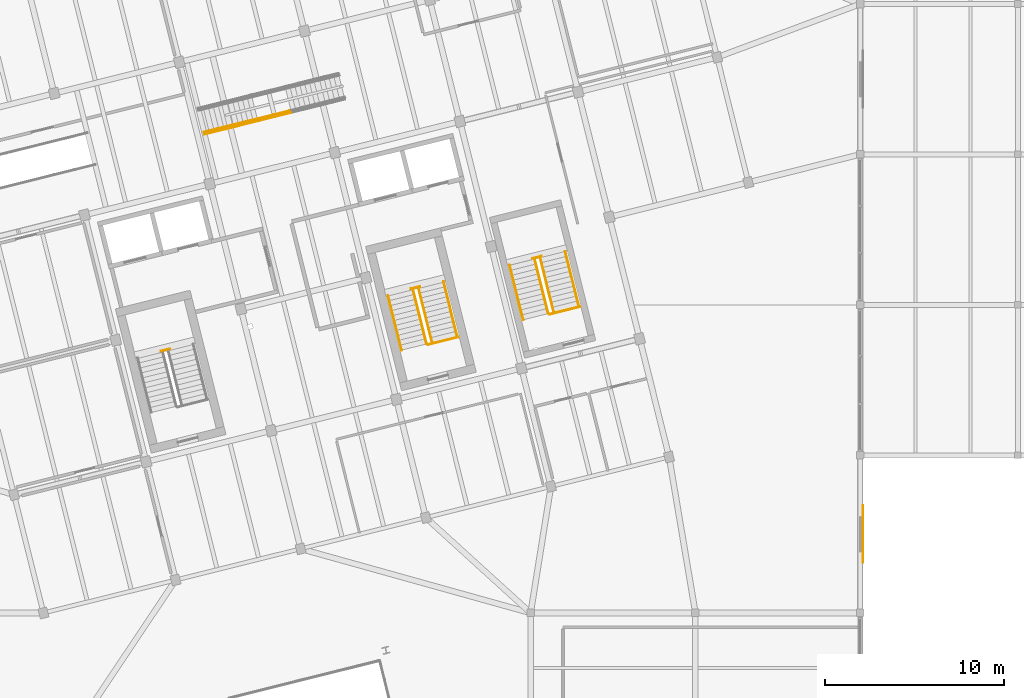
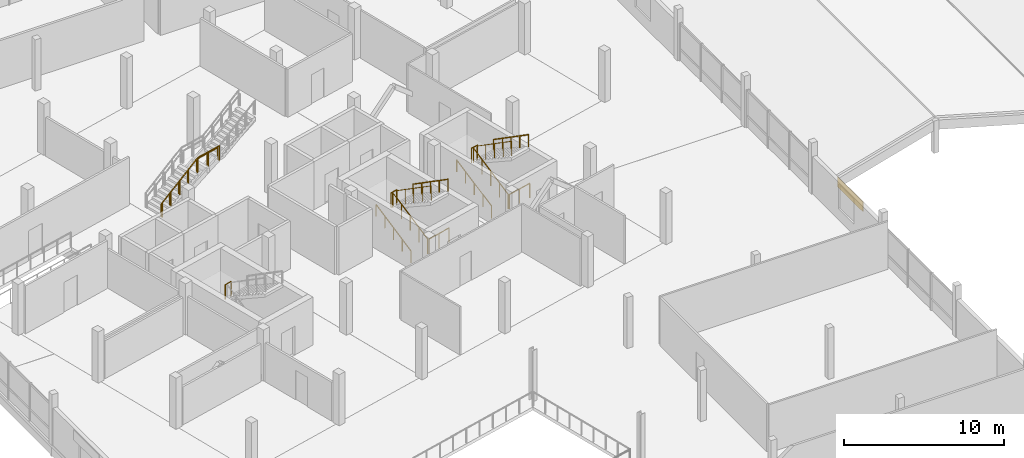
# One storey, part 46 of 47: 17 railings, 1 covering.
"""IFC4 building model written with IfcOpenShell, lengths in metres."""

from ifc_helpers import new_model, si_unit, direction, frame, origin, origin_2d, place, context, subcontext, project, spatial, rectangle, circle, extrude, material, layer, layer_set, type_object, element, save


model = new_model("IFC4")

# Units and contexts
model_context = context("Model", 3, precision=1e-05, world=origin(), true_north=direction((0.0, 1.0)))
body_context = subcontext(model_context, "Body", "Model", "MODEL_VIEW")
ifc_project = project(units=[si_unit("LENGTHUNIT", "METRE"), si_unit("AREAUNIT", "SQUARE_METRE"), si_unit("VOLUMEUNIT", "CUBIC_METRE"), si_unit("PLANEANGLEUNIT", "RADIAN"), si_unit("MASSUNIT", "GRAM", prefix="KILO")], contexts=[model_context])

# Site, building, storey
site_placement = place(None, origin())
site = spatial("IfcSite", under=ifc_project, at=site_placement, CompositionType="ELEMENT")
building_placement = place(site_placement, origin())
building = spatial("IfcBuilding", under=site, at=building_placement, Name="Meriwether Solvik Hall", CompositionType="ELEMENT")
storey_placement = place(building_placement, frame((0.0, 0.0, 18.300048828125)))
storey = spatial("IfcBuildingStorey", under=building, at=storey_placement, Name="L04", CompositionType="ELEMENT", Elevation=18.300048828125)

# Covering
ifc_material_1 = material(Name="Acetylated Charred Western Red Cedar Timber", Category="wood")
ifc_layer_1 = layer(ifc_material_1, 0.0400390625)
ifc_layer_set_1 = layer_set([ifc_layer_1], Name="Acetylated Charred Western Red Cedar Timber")
covering_type = type_object("IfcCoveringType", Name="COV-CLAD-TIMB", PredefinedType="CLADDING", material=ifc_layer_set_1)
covering_placement = place(storey_placement, frame((114.360107421875, 45.60009765625, 2.054931640625), z_axis=(0.0, 0.0, 1.0), x_axis=(0.0, -1.0, 0.0)))
element("IfcCovering", 1, at=covering_placement, inside=storey, type_object=covering_type, Name="L04 Facade Cladding Y13_5_26", PredefinedType="CLADDING", context=body_context, shape_type="SweptSolid", body=[
    extrude(rectangle(XDim=3.199951171875, YDim=0.0400390625, at=origin_2d()), origin(), (0.0, 0.0, 1.0), 0.75),
])

# Railings
ifc_material_2 = material(Name="Steel A36 Galvanised", Category="steel")
ifc_layer_2 = layer(ifc_material_2, 0.054931640625)
ifc_layer_set_2 = layer_set([ifc_layer_2], Name="Steel A36 Galvanised")
railing_type_1 = type_object("IfcRailingType", Name="RAIL-STR-GUARD", PredefinedType="GUARDRAIL", material=ifc_layer_set_2)
railing_1_placement = place(storey_placement, frame((75.158935546875, 55.81591796875, 1.949951171875)))
element("IfcRailing", 2, at=railing_1_placement, inside=storey, type_object=railing_type_1, Name="Stair ST-01 Landing Guardrail (L04)", PredefinedType="GUARDRAIL", context=body_context, shape_type="SweptSolid", body=[
    extrude(circle(Radius=0.02392578125, at=origin_2d()), frame((0.0, 0.0, 1.09619140625), z_axis=(0.970343250308, 0.241731207299, 0.0), x_axis=(-0.241731207299, 0.970343250308, 0.0)), (0.0, 0.0, 1.0), 0.5),
    extrude(circle(Radius=0.02099609375, at=origin_2d()), origin(), (0.0, 0.0, 1.0), 1.072021484375),
    extrude(circle(Radius=0.02099609375, at=origin_2d()), frame((0.485107421875, 0.120849609375, 0.0)), (0.0, 0.0, 1.0), 1.072021484375),
])
railing_2_placement = place(storey_placement, frame((89.131103515625, 59.299560546875, 1.949951171875)))
element("IfcRailing", 3, at=railing_2_placement, inside=storey, type_object=railing_type_1, Name="Stair ST-02 Landing Guardrail (L04)", PredefinedType="GUARDRAIL", context=body_context, shape_type="SweptSolid", body=[
    extrude(circle(Radius=0.02392578125, at=origin_2d()), frame((0.0, 0.0, 1.09619140625), z_axis=(0.970228607419, 0.242190935722, 0.0), x_axis=(-0.242190935722, 0.970228607419, 0.0)), (0.0, 0.0, 1.0), 0.5),
    extrude(circle(Radius=0.02099609375, at=origin_2d()), origin(), (0.0, 0.0, 1.0), 1.072021484375),
    extrude(circle(Radius=0.02099609375, at=origin_2d()), frame((0.485107421875, 0.12109375, 0.0)), (0.0, 0.0, 1.0), 1.072021484375),
])
railing_3_placement = place(storey_placement, frame((90.064208984375, 56.177490234375, 0.0)))
element("IfcRailing", 4, at=railing_3_placement, inside=storey, type_object=railing_type_1, Name="Stair ST-02 Well Guardrail (L04)", PredefinedType="GUARDRAIL", context=body_context, shape_type="SweptSolid", body=[
    extrude(circle(Radius=0.02392578125, at=origin_2d()), frame((0.0, 0.0, 1.09619140625), z_axis=(0.970298223594, 0.241911879182, 0.0), x_axis=(-0.241911879182, 0.970298223594, 0.0)), (0.0, 0.0, 1.0), 1.75),
    extrude(circle(Radius=0.02099609375, at=origin_2d()), origin(), (0.0, 0.0, 1.0), 1.072021484375),
    extrude(circle(Radius=0.02099609375, at=origin_2d()), frame((0.84912109375, 0.211669921875, 0.0)), (0.0, 0.0, 1.0), 1.072021484375),
    extrude(circle(Radius=0.02099609375, at=origin_2d()), frame((1.697998046875, 0.42333984375, 0.0)), (0.0, 0.0, 1.0), 1.072021484375),
])
railing_4_placement = place(storey_placement, frame((89.991455078125, 56.22119140625, 0.0)))
element("IfcRailing", 5, at=railing_4_placement, inside=storey, type_object=railing_type_1, Name="Stair ST-02 Flight 1 Inner Guardrail (L04)", PredefinedType="GUARDRAIL", context=body_context, shape_type="SweptSolid", body=[
    extrude(circle(Radius=0.02392578125, at=origin_2d()), frame((0.0, 0.0, 1.09619140625), z_axis=(-0.205452207734, 0.823924849814, 0.528145086313), x_axis=(-0.970288906122, -0.2419492481, 0.0)), (0.0, 0.0, 1.0), 3.692138671875),
    extrude(circle(Radius=0.02099609375, at=origin_2d()), origin(), (0.0, 0.0, 1.0), 1.072021484375),
    extrude(circle(Radius=0.02099609375, at=origin_2d()), frame((-0.189697265625, 0.760498046875, 0.487548828125)), (0.0, 0.0, 1.0), 1.072021484375),
    extrude(circle(Radius=0.02099609375, at=origin_2d()), frame((-0.37939453125, 1.52099609375, 0.97509765625)), (0.0, 0.0, 1.0), 1.072021484375),
    extrude(circle(Radius=0.02099609375, at=origin_2d()), frame((-0.56884765625, 2.281494140625, 1.46240234375)), (0.0, 0.0, 1.0), 1.072021484375),
    extrude(circle(Radius=0.02099609375, at=origin_2d()), frame((-0.758544921875, 3.0419921875, 1.949951171875)), (0.0, 0.0, 1.0), 1.072021484375),
])
railing_5_placement = place(storey_placement, frame((89.54345703125, 59.340576171875, 1.949951171875)))
element("IfcRailing", 6, at=railing_5_placement, inside=storey, type_object=railing_type_1, Name="Stair ST-02 Flight 2 Inner Guardrail (L04)", PredefinedType="GUARDRAIL", context=body_context, shape_type="SweptSolid", body=[
    extrude(circle(Radius=0.02392578125, at=origin_2d()), frame((0.0, 0.0, 1.09619140625), z_axis=(0.205452207734, -0.823924849814, 0.528145086313), x_axis=(0.970288906122, 0.2419492481, 0.0)), (0.0, 0.0, 1.0), 3.692138671875),
    extrude(circle(Radius=0.02099609375, at=origin_2d()), origin(), (0.0, 0.0, 1.0), 1.072021484375),
    extrude(circle(Radius=0.02099609375, at=origin_2d()), frame((0.189697265625, -0.760498046875, 0.487548828125)), (0.0, 0.0, 1.0), 1.072021484375),
    extrude(circle(Radius=0.02099609375, at=origin_2d()), frame((0.37939453125, -1.52099609375, 0.97509765625)), (0.0, 0.0, 1.0), 1.072021484375),
    extrude(circle(Radius=0.02099609375, at=origin_2d()), frame((0.56884765625, -2.281494140625, 1.46240234375)), (0.0, 0.0, 1.0), 1.072021484375),
    extrude(circle(Radius=0.02099609375, at=origin_2d()), frame((0.758544921875, -3.0419921875, 1.949951171875)), (0.0, 0.0, 1.0), 1.072021484375),
])
railing_6_placement = place(storey_placement, frame((95.92333984375, 60.992919921875, 1.949951171875)))
element("IfcRailing", 7, at=railing_6_placement, inside=storey, type_object=railing_type_1, Name="Stair ST-03 Landing Guardrail (L04)", PredefinedType="GUARDRAIL", context=body_context, shape_type="SweptSolid", body=[
    extrude(circle(Radius=0.02392578125, at=origin_2d()), frame((0.0, 0.0, 1.09619140625), z_axis=(0.970228607419, 0.242190935722, 0.0), x_axis=(-0.242190935722, 0.970228607419, 0.0)), (0.0, 0.0, 1.0), 0.5),
    extrude(circle(Radius=0.02099609375, at=origin_2d()), origin(), (0.0, 0.0, 1.0), 1.072021484375),
    extrude(circle(Radius=0.02099609375, at=origin_2d()), frame((0.485107421875, 0.12109375, 0.0)), (0.0, 0.0, 1.0), 1.072021484375),
])
railing_7_placement = place(storey_placement, frame((96.856201171875, 57.87109375, 0.0)))
element("IfcRailing", 8, at=railing_7_placement, inside=storey, type_object=railing_type_1, Name="Stair ST-03 Well Guardrail (L04)", PredefinedType="GUARDRAIL", context=body_context, shape_type="SweptSolid", body=[
    extrude(circle(Radius=0.02392578125, at=origin_2d()), frame((0.0, 0.0, 1.09619140625), z_axis=(0.970298223594, 0.241911879182, 0.0), x_axis=(-0.241911879182, 0.970298223594, 0.0)), (0.0, 0.0, 1.0), 1.75),
    extrude(circle(Radius=0.02099609375, at=origin_2d()), origin(), (0.0, 0.0, 1.0), 1.072021484375),
    extrude(circle(Radius=0.02099609375, at=origin_2d()), frame((0.84912109375, 0.211669921875, 0.0)), (0.0, 0.0, 1.0), 1.072021484375),
    extrude(circle(Radius=0.02099609375, at=origin_2d()), frame((1.697998046875, 0.42333984375, 0.0)), (0.0, 0.0, 1.0), 1.072021484375),
])
railing_8_placement = place(storey_placement, frame((96.783447265625, 57.914794921875, 0.0)))
element("IfcRailing", 9, at=railing_8_placement, inside=storey, type_object=railing_type_1, Name="Stair ST-03 Flight 1 Inner Guardrail (L04)", PredefinedType="GUARDRAIL", context=body_context, shape_type="SweptSolid", body=[
    extrude(circle(Radius=0.02392578125, at=origin_2d()), frame((0.0, 0.0, 1.09619140625), z_axis=(-0.205400062928, 0.823914804899, 0.528181037541), x_axis=(-0.97030262861, -0.241894210166, 0.0)), (0.0, 0.0, 1.0), 3.69189453125),
    extrude(circle(Radius=0.02099609375, at=origin_2d()), origin(), (0.0, 0.0, 1.0), 1.072021484375),
    extrude(circle(Radius=0.02099609375, at=origin_2d()), frame((-0.189453125, 0.760498046875, 0.487548828125)), (0.0, 0.0, 1.0), 1.072021484375),
    extrude(circle(Radius=0.02099609375, at=origin_2d()), frame((-0.379150390625, 1.52099609375, 0.97509765625)), (0.0, 0.0, 1.0), 1.072021484375),
    extrude(circle(Radius=0.02099609375, at=origin_2d()), frame((-0.56884765625, 2.28125, 1.46240234375)), (0.0, 0.0, 1.0), 1.072021484375),
    extrude(circle(Radius=0.02099609375, at=origin_2d()), frame((-0.75830078125, 3.041748046875, 1.949951171875)), (0.0, 0.0, 1.0), 1.072021484375),
])
railing_9_placement = place(storey_placement, frame((96.335693359375, 61.033935546875, 1.949951171875)))
element("IfcRailing", 10, at=railing_9_placement, inside=storey, type_object=railing_type_1, Name="Stair ST-03 Flight 2 Inner Guardrail (L04)", PredefinedType="GUARDRAIL", context=body_context, shape_type="SweptSolid", body=[
    extrude(circle(Radius=0.02392578125, at=origin_2d()), frame((0.0, 0.0, 1.09619140625), z_axis=(0.205400062928, -0.823914804899, 0.528181037541), x_axis=(0.97030262861, 0.241894210166, 0.0)), (0.0, 0.0, 1.0), 3.69189453125),
    extrude(circle(Radius=0.02099609375, at=origin_2d()), origin(), (0.0, 0.0, 1.0), 1.072021484375),
    extrude(circle(Radius=0.02099609375, at=origin_2d()), frame((0.189453125, -0.760498046875, 0.487548828125)), (0.0, 0.0, 1.0), 1.072021484375),
    extrude(circle(Radius=0.02099609375, at=origin_2d()), frame((0.379150390625, -1.52099609375, 0.97509765625)), (0.0, 0.0, 1.0), 1.072021484375),
    extrude(circle(Radius=0.02099609375, at=origin_2d()), frame((0.56884765625, -2.28125, 1.46240234375)), (0.0, 0.0, 1.0), 1.072021484375),
    extrude(circle(Radius=0.02099609375, at=origin_2d()), frame((0.75830078125, -3.041748046875, 1.949951171875)), (0.0, 0.0, 1.0), 1.072021484375),
])
railing_10_placement = place(storey_placement, frame((77.6015625, 67.926513671875, 0.0)))
element("IfcRailing", 11, at=railing_10_placement, inside=storey, type_object=railing_type_1, Name="Stair ST-ED2 Guardrail L 1", PredefinedType="GUARDRAIL", context=body_context, shape_type="SweptSolid", body=[
    extrude(circle(Radius=0.02392578125, at=origin_2d()), frame((0.0, 0.0, 1.09619140625), z_axis=(0.819808299707, 0.204444516544, 0.534898860895), x_axis=(-0.24197019989, 0.970283681387, 0.0)), (0.0, 0.0, 1.0), 3.607666015625),
    extrude(circle(Radius=0.02099609375, at=origin_2d()), origin(), (0.0, 0.0, 1.0), 1.072021484375),
    extrude(circle(Radius=0.02099609375, at=origin_2d()), frame((0.7392578125, 0.184326171875, 0.482421875)), (0.0, 0.0, 1.0), 1.072021484375),
    extrude(circle(Radius=0.02099609375, at=origin_2d()), frame((1.478759765625, 0.36865234375, 0.96484375)), (0.0, 0.0, 1.0), 1.072021484375),
    extrude(circle(Radius=0.02099609375, at=origin_2d()), frame((2.21826171875, 0.55322265625, 1.447265625)), (0.0, 0.0, 1.0), 1.072021484375),
    extrude(circle(Radius=0.02099609375, at=origin_2d()), frame((2.95751953125, 0.737548828125, 1.9296875)), (0.0, 0.0, 1.0), 1.072021484375),
])
railing_11_placement = place(storey_placement, frame((80.62109375, 68.679443359375, 1.949951171875)))
element("IfcRailing", 12, at=railing_11_placement, inside=storey, type_object=railing_type_1, Name="Stair ST-ED2 Guardrail L 2", PredefinedType="GUARDRAIL", context=body_context, shape_type="SweptSolid", body=[
    extrude(circle(Radius=0.02392578125, at=origin_2d()), frame((0.0, 0.0, 1.09619140625), z_axis=(0.970306538846, 0.241878524621, 0.0), x_axis=(-0.241878524621, 0.970306538846, 0.0)), (0.0, 0.0, 1.0), 1.8359375),
    extrude(circle(Radius=0.02099609375, at=origin_2d()), origin(), (0.0, 0.0, 1.0), 1.072021484375),
    extrude(circle(Radius=0.02099609375, at=origin_2d()), frame((0.890625, 0.22216796875, 0.0)), (0.0, 0.0, 1.0), 1.072021484375),
    extrude(circle(Radius=0.02099609375, at=origin_2d()), frame((1.781494140625, 0.444091796875, 0.0)), (0.0, 0.0, 1.0), 1.072021484375),
])
ifc_material_3 = material(Name="Stainless Steel AISI 316", Category="steel")
ifc_layer_3 = layer(ifc_material_3, 0.044921875)
ifc_layer_set_3 = layer_set([ifc_layer_3], Name="Stainless Steel AISI 316")
railing_type_2 = type_object("IfcRailingType", Name="RAIL-STR-HAND", PredefinedType="HANDRAIL", material=ifc_layer_set_3)
railing_12_placement = place(storey_placement, frame((88.59423828125, 55.872802734375, 0.0)))
element("IfcRailing", 13, at=railing_12_placement, inside=storey, type_object=railing_type_2, Name="Stair ST-02 Lower Handrail (L04)", PredefinedType="HANDRAIL", context=body_context, shape_type="SweptSolid", body=[
    extrude(circle(Radius=0.02392578125, at=origin_2d()), frame((0.0, 0.0, 0.89599609375), z_axis=(-0.205403888919, 0.823925689387, 0.528162570414), x_axis=(-0.970302321101, -0.241895443665, 0.0)), (0.0, 0.0, 1.0), 3.698974609375),
    extrude(circle(Radius=0.02099609375, at=origin_2d()), origin(), (0.0, 0.0, 1.0), 0.871826171875),
    extrude(circle(Radius=0.02099609375, at=origin_2d()), frame((-0.18994140625, 0.761962890625, 0.48828125)), (0.0, 0.0, 1.0), 0.871826171875),
    extrude(circle(Radius=0.02099609375, at=origin_2d()), frame((-0.3798828125, 1.52392578125, 0.976806640625)), (0.0, 0.0, 1.0), 0.871826171875),
    extrude(circle(Radius=0.02099609375, at=origin_2d()), frame((-0.56982421875, 2.28564453125, 1.46533203125)), (0.0, 0.0, 1.0), 0.871826171875),
    extrude(circle(Radius=0.02099609375, at=origin_2d()), frame((-0.759765625, 3.047607421875, 1.95361328125)), (0.0, 0.0, 1.0), 0.871826171875),
])
railing_13_placement = place(storey_placement, frame((90.940673828125, 59.68896484375, 1.949951171875)))
element("IfcRailing", 14, at=railing_13_placement, inside=storey, type_object=railing_type_2, Name="Stair ST-02 Upper Handrail (L04)", PredefinedType="HANDRAIL", context=body_context, shape_type="SweptSolid", body=[
    extrude(circle(Radius=0.02392578125, at=origin_2d()), frame((0.0, 0.0, 0.89599609375), z_axis=(0.205467106702, -0.823914517495, 0.528155408876), x_axis=(0.970284074567, 0.241968623258, 0.0)), (0.0, 0.0, 1.0), 3.698974609375),
    extrude(circle(Radius=0.02099609375, at=origin_2d()), origin(), (0.0, 0.0, 1.0), 0.871826171875),
    extrude(circle(Radius=0.02099609375, at=origin_2d()), frame((0.18994140625, -0.761962890625, 0.48828125)), (0.0, 0.0, 1.0), 0.871826171875),
    extrude(circle(Radius=0.02099609375, at=origin_2d()), frame((0.3798828125, -1.52392578125, 0.976806640625)), (0.0, 0.0, 1.0), 0.871826171875),
    extrude(circle(Radius=0.02099609375, at=origin_2d()), frame((0.570068359375, -2.28564453125, 1.46533203125)), (0.0, 0.0, 1.0), 0.871826171875),
    extrude(circle(Radius=0.02099609375, at=origin_2d()), frame((0.760009765625, -3.047607421875, 1.95361328125)), (0.0, 0.0, 1.0), 0.871826171875),
])
railing_14_placement = place(storey_placement, frame((95.38623046875, 57.56640625, 0.0)))
element("IfcRailing", 15, at=railing_14_placement, inside=storey, type_object=railing_type_2, Name="Stair ST-03 Lower Handrail (L04)", PredefinedType="HANDRAIL", context=body_context, shape_type="SweptSolid", body=[
    extrude(circle(Radius=0.02392578125, at=origin_2d()), frame((0.0, 0.0, 0.89599609375), z_axis=(-0.205415059707, 0.823904490764, 0.528191294271), x_axis=(-0.970297772345, -0.241913689115, 0.0)), (0.0, 0.0, 1.0), 3.69873046875),
    extrude(circle(Radius=0.02099609375, at=origin_2d()), origin(), (0.0, 0.0, 1.0), 0.871826171875),
    extrude(circle(Radius=0.02099609375, at=origin_2d()), frame((-0.18994140625, 0.76171875, 0.48828125)), (0.0, 0.0, 1.0), 0.871826171875),
    extrude(circle(Radius=0.02099609375, at=origin_2d()), frame((-0.3798828125, 1.523681640625, 0.976806640625)), (0.0, 0.0, 1.0), 0.871826171875),
    extrude(circle(Radius=0.02099609375, at=origin_2d()), frame((-0.56982421875, 2.28564453125, 1.46533203125)), (0.0, 0.0, 1.0), 0.871826171875),
    extrude(circle(Radius=0.02099609375, at=origin_2d()), frame((-0.759765625, 3.04736328125, 1.95361328125)), (0.0, 0.0, 1.0), 0.871826171875),
])
railing_15_placement = place(storey_placement, frame((97.73291015625, 61.38232421875, 1.949951171875)))
element("IfcRailing", 16, at=railing_15_placement, inside=storey, type_object=railing_type_2, Name="Stair ST-03 Upper Handrail (L04)", PredefinedType="HANDRAIL", context=body_context, shape_type="SweptSolid", body=[
    extrude(circle(Radius=0.02392578125, at=origin_2d()), frame((0.0, 0.0, 0.89599609375), z_axis=(0.205415059707, -0.823904490764, 0.528191294271), x_axis=(0.970297772345, 0.241913689115, 0.0)), (0.0, 0.0, 1.0), 3.69873046875),
    extrude(circle(Radius=0.02099609375, at=origin_2d()), origin(), (0.0, 0.0, 1.0), 0.871826171875),
    extrude(circle(Radius=0.02099609375, at=origin_2d()), frame((0.18994140625, -0.76171875, 0.48828125)), (0.0, 0.0, 1.0), 0.871826171875),
    extrude(circle(Radius=0.02099609375, at=origin_2d()), frame((0.3798828125, -1.523681640625, 0.976806640625)), (0.0, 0.0, 1.0), 0.871826171875),
    extrude(circle(Radius=0.02099609375, at=origin_2d()), frame((0.56982421875, -2.28564453125, 1.46533203125)), (0.0, 0.0, 1.0), 0.871826171875),
    extrude(circle(Radius=0.02099609375, at=origin_2d()), frame((0.759765625, -3.04736328125, 1.95361328125)), (0.0, 0.0, 1.0), 0.871826171875),
])
railing_16_placement = place(storey_placement, frame((77.572509765625, 68.04296875, 0.0)))
element("IfcRailing", 17, at=railing_16_placement, inside=storey, type_object=railing_type_2, Name="Stair ST-ED2 Handrail L 1", PredefinedType="HANDRAIL", context=body_context, shape_type="SweptSolid", body=[
    extrude(circle(Radius=0.02392578125, at=origin_2d()), frame((0.0, 0.0, 0.89599609375), z_axis=(0.819830975066, 0.204406287954, 0.534878716876), x_axis=(-0.241921303114, 0.970295873999, 0.0)), (0.0, 0.0, 1.0), 3.65234375),
    extrude(circle(Radius=0.02099609375, at=origin_2d()), origin(), (0.0, 0.0, 1.0), 0.871826171875),
    extrude(circle(Radius=0.02099609375, at=origin_2d()), frame((0.74853515625, 0.1865234375, 0.48828125)), (0.0, 0.0, 1.0), 0.871826171875),
    extrude(circle(Radius=0.02099609375, at=origin_2d()), frame((1.4970703125, 0.373291015625, 0.976806640625)), (0.0, 0.0, 1.0), 0.871826171875),
    extrude(circle(Radius=0.02099609375, at=origin_2d()), frame((2.245849609375, 0.56005859375, 1.46533203125)), (0.0, 0.0, 1.0), 0.871826171875),
    extrude(circle(Radius=0.02099609375, at=origin_2d()), frame((2.994384765625, 0.74658203125, 1.95361328125)), (0.0, 0.0, 1.0), 0.871826171875),
])
railing_17_placement = place(storey_placement, frame((80.624267578125, 68.803955078125, 1.949951171875)))
element("IfcRailing", 18, at=railing_17_placement, inside=storey, type_object=railing_type_2, Name="Stair ST-ED2 Handrail L 2", PredefinedType="HANDRAIL", context=body_context, shape_type="SweptSolid", body=[
    extrude(circle(Radius=0.02392578125, at=origin_2d()), frame((0.0, 0.0, 0.89599609375), z_axis=(0.970288381123, 0.241951353496, 0.0), x_axis=(-0.241951353496, 0.970288381123, 0.0)), (0.0, 0.0, 1.0), 1.769775390625),
    extrude(circle(Radius=0.02099609375, at=origin_2d()), origin(), (0.0, 0.0, 1.0), 0.871826171875),
    extrude(circle(Radius=0.02099609375, at=origin_2d()), frame((0.858642578125, 0.214111328125, 0.0)), (0.0, 0.0, 1.0), 0.871826171875),
    extrude(circle(Radius=0.02099609375, at=origin_2d()), frame((1.71728515625, 0.42822265625, 0.0)), (0.0, 0.0, 1.0), 0.871826171875),
])

save(model, "model.ifc")
